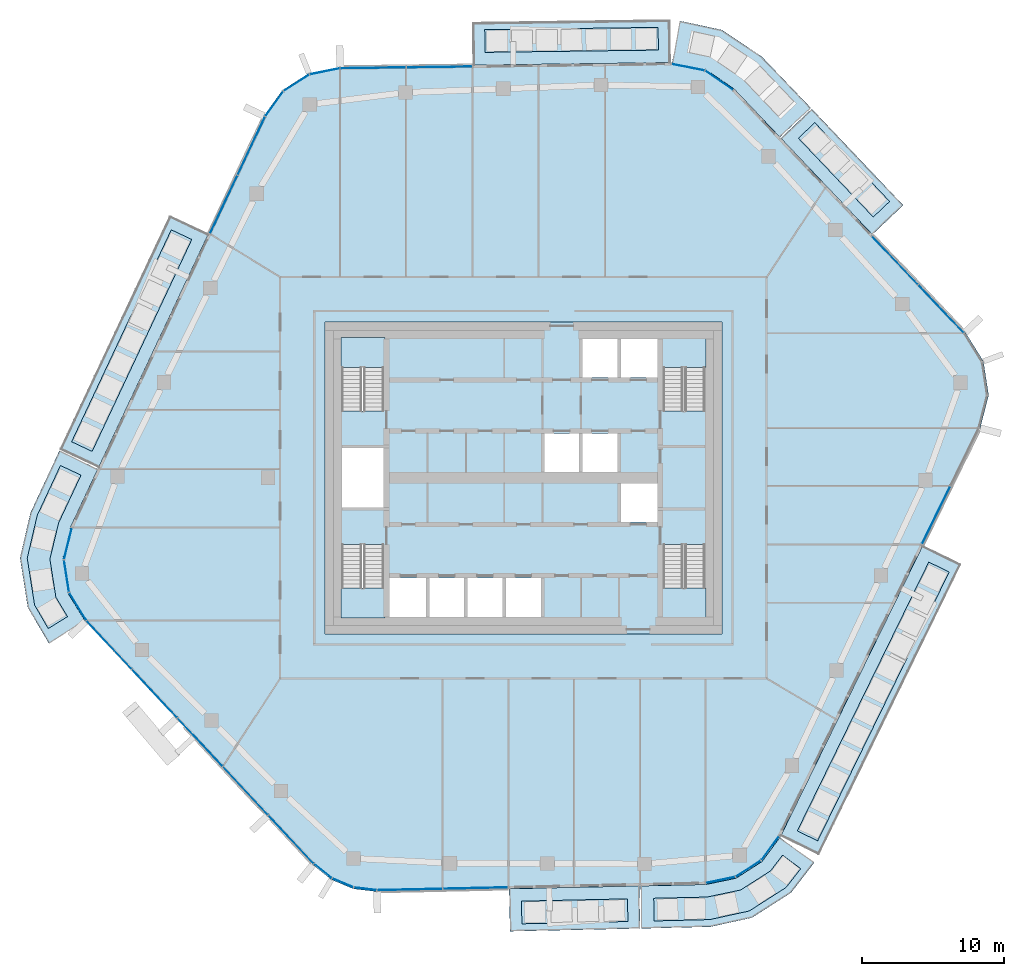
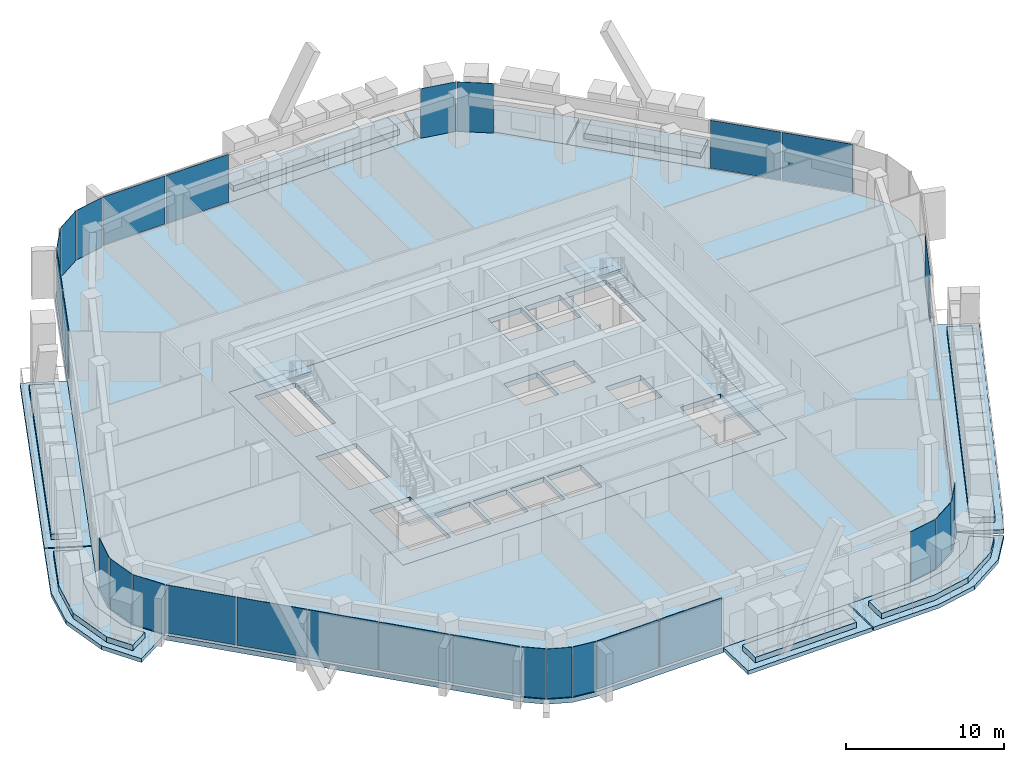
# One storey, part 11 of 23: 28 plates, 21 slabs, 15 elements without a shape of their own.
"""IFC4 building model written with IfcOpenShell, lengths in metres."""

from ifc_helpers import new_model, si_unit, direction, frame, origin, origin_2d, place, context, subcontext, project, spatial, polyline, rectangle, outline, extrude, material, layer, layer_set, type_object, element, aggregate, save


model = new_model("IFC4")

# Units and contexts
model_context = context("Model", 3, precision=1e-05, world=origin(), true_north=direction((0.0, 1.0)))
body_context = subcontext(model_context, "Body", "Model", "MODEL_VIEW")
ifc_project = project(units=[si_unit("LENGTHUNIT", "METRE"), si_unit("AREAUNIT", "SQUARE_METRE"), si_unit("VOLUMEUNIT", "CUBIC_METRE"), si_unit("PLANEANGLEUNIT", "RADIAN"), si_unit("MASSUNIT", "GRAM", prefix="KILO")], contexts=[model_context])

# Site, building, storey
site_placement = place(None, origin())
site = spatial("IfcSite", under=ifc_project, at=site_placement, CompositionType="ELEMENT")
building_placement = place(site_placement, origin())
building = spatial("IfcBuilding", under=site, at=building_placement, Name="Dongbaek Canopy Tower", CompositionType="ELEMENT")
storey_placement = place(building_placement, frame((0.0, 0.0, 340.39990234375)))
storey = spatial("IfcBuildingStorey", under=building, at=storey_placement, Name="L73", CompositionType="ELEMENT", Elevation=340.39990234375)

# Slabs
ifc_material_1 = material(Name="Concrete C40/50", Category="concrete")
ifc_layer_1 = layer(ifc_material_1, 0.300048828125)
ifc_layer_set_1 = layer_set([ifc_layer_1], Name="Balcony slab 300")
slab_type_1 = type_object("IfcSlabType", Name="Balcony slab 300", PredefinedType="FLOOR", material=ifc_layer_set_1)
slab_1_placement = place(storey_placement, frame((0.0, 0.0, -0.2998046875)))
element("IfcSlab", 1, at=slab_1_placement, inside=storey, type_object=slab_type_1, Name="Balcony L73 1", PredefinedType="FLOOR", context=body_context, shape_type="SweptSolid", body=[
    extrude(outline(polyline([(24.6015625, 17.15380859375), (18.15087890625, 23.94287109375), (20.32568359375, 26.00927734375), (26.7763671875, 19.22021484375), (24.6015625, 17.15380859375)])), origin(), (0.0, 0.0, 1.0), 0.2998046875),
])
slab_2_placement = place(storey_placement, frame((0.0, 0.0, -0.2998046875)))
element("IfcSlab", 2, at=slab_2_placement, inside=storey, type_object=slab_type_1, Name="Balcony L73 6", PredefinedType="FLOOR", context=body_context, shape_type="SweptSolid", body=[
    extrude(outline(polyline([(18.08203125, 24.015380859375), (14.8564453125, 27.409912109375), (12.837158203125, 28.80615234375), (10.47705078125, 29.26708984375), (11.052001953125, 32.21142578125), (14.00244140625, 31.570556640625), (16.807373046875, 29.689208984375), (20.2568359375, 26.081787109375), (18.08203125, 24.015380859375)])), origin(), (0.0, 0.0, 1.0), 0.2998046875),
])
slab_3_placement = place(storey_placement, frame((0.0, 0.0, -0.2998046875)))
element("IfcSlab", 3, at=slab_3_placement, inside=storey, type_object=slab_type_1, Name="Balcony L73 2", PredefinedType="FLOOR", context=body_context, shape_type="SweptSolid", body=[
    extrude(outline(polyline([(10.3779296875, 29.27587890625), (-3.544677734375, 29.092529296875), (-3.584228515625, 32.09228515625), (10.33837890625, 32.275634765625), (10.3779296875, 29.27587890625)])), origin(), (0.0, 0.0, 1.0), 0.2998046875),
])
slab_4_placement = place(storey_placement, frame((0.0, 0.0, -0.2998046875)))
element("IfcSlab", 4, at=slab_4_placement, inside=storey, type_object=slab_type_1, Name="Balcony L73 3", PredefinedType="FLOOR", context=body_context, shape_type="SweptSolid", body=[
    extrude(outline(polyline([(-22.21044921875, 17.1923828125), (-29.958740234375, 0.713623046875), (-32.673583984375, 1.990234375), (-24.92529296875, 18.468994140625), (-22.21044921875, 17.1923828125)])), origin(), (0.0, 0.0, 1.0), 0.2998046875),
])
slab_5_placement = place(storey_placement, frame((0.0, 0.0, -0.2998046875)))
element("IfcSlab", 5, at=slab_5_placement, inside=storey, type_object=slab_type_1, Name="Balcony L73 7", PredefinedType="FLOOR", context=body_context, shape_type="SweptSolid", body=[
    extrude(outline(polyline([(-30.001220703125, 0.623046875), (-31.927734375, -3.473876953125), (-32.492431640625, -5.772705078125), (-32.124267578125, -8.11083984375), (-30.90673828125, -10.082275390625), (-33.459228515625, -11.65869140625), (-34.9375, -9.15283203125), (-35.48974609375, -5.6455078125), (-34.755615234375, -2.472900390625), (-32.716064453125, 1.899658203125), (-30.001220703125, 0.623046875)])), origin(), (0.0, 0.0, 1.0), 0.2998046875),
])
slab_6_placement = place(storey_placement, frame((0.0, 0.0, -0.2998046875)))
element("IfcSlab", 6, at=slab_6_placement, inside=storey, type_object=slab_type_1, Name="Balcony L73 4", PredefinedType="FLOOR", context=body_context, shape_type="SweptSolid", body=[
    extrude(outline(polyline([(-1.009033203125, -28.9716796875), (8.166015625, -28.772705078125), (8.23095703125, -31.77197265625), (-0.94384765625, -31.970947265625), (-1.009033203125, -28.9716796875)])), origin(), (0.0, 0.0, 1.0), 0.2998046875),
])
slab_7_placement = place(storey_placement, frame((0.0, 0.0, -0.2998046875)))
element("IfcSlab", 7, at=slab_7_placement, inside=storey, type_object=slab_type_1, Name="Balcony L73 8", PredefinedType="FLOOR", context=body_context, shape_type="SweptSolid", body=[
    extrude(outline(polyline([(8.265869140625, -28.7705078125), (12.853271484375, -28.671142578125), (14.984619140625, -28.22998046875), (16.818359375, -27.057861328125), (18.08349609375, -25.3486328125), (20.49462890625, -27.133544921875), (18.865966796875, -29.25048828125), (16.115234375, -31.0087890625), (13.191162109375, -31.65185546875), (8.3310546875, -31.769775390625), (8.265869140625, -28.7705078125)])), origin(), (0.0, 0.0, 1.0), 0.2998046875),
])
slab_8_placement = place(storey_placement, frame((0.0, 0.0, -0.2998046875)))
element("IfcSlab", 8, at=slab_8_placement, inside=storey, type_object=slab_type_1, Name="Balcony L73 5", PredefinedType="FLOOR", context=body_context, shape_type="SweptSolid", body=[
    extrude(outline(polyline([(18.13525390625, -25.263671875), (28.150390625, -4.78515625), (30.845458984375, -6.103271484375), (20.830078125, -26.58154296875), (18.13525390625, -25.263671875)])), origin(), (0.0, 0.0, 1.0), 0.2998046875),
])

# Curtain wall, plates
ifc_material_2 = material(Name="Aluminium 6063-T6 pale anodised", Category="aluminium")
ifc_layer_2 = layer(ifc_material_2, 0.199951171875)
ifc_layer_set_2 = layer_set([ifc_layer_2], Name="CW-1 unitised tower curtain wall")
curtain_wall_type = type_object("IfcCurtainWallType", Name="CW-1 unitised tower curtain wall", PredefinedType="NOTDEFINED", material=ifc_layer_set_2)
curtain_wall_1_placement = place(storey_placement, origin())
curtain_wall_1 = element("IfcCurtainWall", 9, at=curtain_wall_1_placement, inside=storey, type_object=curtain_wall_type, Name="CW-1 curtain wall F0.1", PredefinedType="NOTDEFINED")
ifc_material_3 = material(Name="Clear laminated glass", Category="glass")
ifc_layer_3 = layer(ifc_material_3, 0.028076171875)
ifc_layer_set_3 = layer_set([ifc_layer_3], Name="CW-1 glazed panel 28")
plate_type = type_object("IfcPlateType", Name="CW-1 glazed panel 28", PredefinedType="CURTAIN_PANEL", material=ifc_layer_set_3)
plate_1_placement = place(storey_placement, frame((29.449951171875, 11.906005859375, 0.1201171875), z_axis=(0.0, 0.0, 1.0), x_axis=(-0.688812382486, 0.724939653857, 0.0)))
plate_1 = element("IfcPlate", 10, at=plate_1_placement, type_object=plate_type, Name="CW-1 panel F0.1.1.1", PredefinedType="CURTAIN_PANEL", context=body_context, shape_type="SweptSolid", body=[
    extrude(rectangle(XDim=4.638427734375, YDim=0.028076171875, at=origin_2d()), origin(), (0.0, 0.0, 1.0), 3.699951171875),
])
plate_2_placement = place(storey_placement, frame((26.193603515625, 15.333251953125, 0.1201171875), z_axis=(0.0, 0.0, 1.0), x_axis=(-0.688812382486, 0.724939653857, 0.0)))
plate_2 = element("IfcPlate", 11, at=plate_2_placement, type_object=plate_type, Name="CW-1 panel F0.1.2.1", PredefinedType="CURTAIN_PANEL", context=body_context, shape_type="SweptSolid", body=[
    extrude(rectangle(XDim=4.648681640625, YDim=0.028076171875, at=origin_2d()), origin(), (0.0, 0.0, 1.0), 3.699951171875),
])
aggregate(curtain_wall_1, [plate_1, plate_2])

curtain_wall_2_placement = place(storey_placement, origin())
curtain_wall_2 = element("IfcCurtainWall", 12, at=curtain_wall_2_placement, inside=storey, type_object=curtain_wall_type, Name="CW-1 curtain wall K1.1", PredefinedType="NOTDEFINED")
plate_3_placement = place(storey_placement, frame((13.79443359375, 28.022705078125, 0.0), z_axis=(0.0, 0.0, 1.0), x_axis=(-0.822548356904, 0.568695173669, 0.0)))
plate_3 = element("IfcPlate", 13, at=plate_3_placement, type_object=plate_type, Name="CW-1 panel K1.1.1.1", PredefinedType="CURTAIN_PANEL", context=body_context, shape_type="SweptSolid", body=[
    extrude(rectangle(XDim=2.339599609375, YDim=0.028076171875, at=origin_2d()), origin(), (0.0, 0.0, 1.0), 3.820068359375),
])
plate_4_placement = place(storey_placement, frame((11.608154296875, 28.944091796875, 0.0), z_axis=(0.0, 0.0, 1.0), x_axis=(-0.981459618743, 0.191669029259, 0.0)))
plate_4 = element("IfcPlate", 14, at=plate_4_placement, type_object=plate_type, Name="CW-1 panel K1.1.2.1", PredefinedType="CURTAIN_PANEL", context=body_context, shape_type="SweptSolid", body=[
    extrude(rectangle(XDim=2.339599609375, YDim=0.028076171875, at=origin_2d()), origin(), (0.0, 0.0, 1.0), 3.820068359375),
])
aggregate(curtain_wall_2, [plate_3, plate_4])

curtain_wall_3_placement = place(storey_placement, origin())
curtain_wall_3 = element("IfcCurtainWall", 15, at=curtain_wall_3_placement, inside=storey, type_object=curtain_wall_type, Name="CW-1 curtain wall F1.1", PredefinedType="NOTDEFINED")
plate_5_placement = place(storey_placement, frame((-5.930419921875, 28.961181640625, 0.1201171875), z_axis=(0.0, 0.0, 1.0), x_axis=(-0.999913333476, -0.013165315653, 0.0)))
plate_5 = element("IfcPlate", 16, at=plate_5_placement, type_object=plate_type, Name="CW-1 panel F1.1.1.1", PredefinedType="CURTAIN_PANEL", context=body_context, shape_type="SweptSolid", body=[
    extrude(rectangle(XDim=4.590576171875, YDim=0.028076171875, at=origin_2d()), origin(), (0.0, 0.0, 1.0), 3.699951171875),
])
plate_6_placement = place(storey_placement, frame((-10.60009765625, 28.899658203125, 0.1201171875), z_axis=(0.0, 0.0, 1.0), x_axis=(-0.999913333476, -0.013165315653, 0.0)))
plate_6 = element("IfcPlate", 17, at=plate_6_placement, type_object=plate_type, Name="CW-1 panel F1.1.2.1", PredefinedType="CURTAIN_PANEL", context=body_context, shape_type="SweptSolid", body=[
    extrude(rectangle(XDim=4.581298828125, YDim=0.028076171875, at=origin_2d()), origin(), (0.0, 0.0, 1.0), 3.699951171875),
])
aggregate(curtain_wall_3, [plate_5, plate_6])

curtain_wall_4_placement = place(storey_placement, origin())
curtain_wall_4 = element("IfcCurtainWall", 18, at=curtain_wall_4_placement, inside=storey, type_object=curtain_wall_type, Name="CW-1 curtain wall K2.1", PredefinedType="NOTDEFINED")
plate_7_placement = place(storey_placement, frame((-14.00830078125, 28.6513671875, 0.0), z_axis=(0.0, 0.0, 1.0), x_axis=(-0.980162153839, -0.198197255735, 0.0)))
plate_7 = element("IfcPlate", 19, at=plate_7_placement, type_object=plate_type, Name="CW-1 panel K2.1.1.1", PredefinedType="CURTAIN_PANEL", context=body_context, shape_type="SweptSolid", body=[
    extrude(rectangle(XDim=2.111083984375, YDim=0.028076171875, at=origin_2d()), origin(), (0.0, 0.0, 1.0), 3.820068359375),
])
plate_8_placement = place(storey_placement, frame((-16.002685546875, 27.84228515625, 0.0), z_axis=(0.0, 0.0, 1.0), x_axis=(-0.840698942489, -0.541502805254, 0.0)))
plate_8 = element("IfcPlate", 20, at=plate_8_placement, type_object=plate_type, Name="CW-1 panel K2.1.2.1", PredefinedType="CURTAIN_PANEL", context=body_context, shape_type="SweptSolid", body=[
    extrude(rectangle(XDim=2.1015625, YDim=0.028076171875, at=origin_2d()), origin(), (0.0, 0.0, 1.0), 3.820068359375),
])
plate_9_placement = place(storey_placement, frame((-17.564453125, 26.36083984375, 0.0), z_axis=(0.0, 0.0, 1.0), x_axis=(-0.585800462636, -0.810455315225, 0.0)))
plate_9 = element("IfcPlate", 21, at=plate_9_placement, type_object=plate_type, Name="CW-1 panel K2.1.3.1", PredefinedType="CURTAIN_PANEL", context=body_context, shape_type="SweptSolid", body=[
    extrude(rectangle(XDim=2.111083984375, YDim=0.028076171875, at=origin_2d()), origin(), (0.0, 0.0, 1.0), 3.820068359375),
])
aggregate(curtain_wall_4, [plate_7, plate_8, plate_9])

curtain_wall_5_placement = place(storey_placement, origin())
curtain_wall_5 = element("IfcCurtainWall", 22, at=curtain_wall_5_placement, inside=storey, type_object=curtain_wall_type, Name="CW-1 curtain wall F2.1", PredefinedType="NOTDEFINED")
plate_10_placement = place(storey_placement, frame((-19.17919921875, 23.404541015625, 0.1201171875), z_axis=(0.0, 0.0, 1.0), x_axis=(-0.425500361514, -0.90495825448, 0.0)))
plate_10 = element("IfcPlate", 23, at=plate_10_placement, type_object=plate_type, Name="CW-1 panel F2.1.1.1", PredefinedType="CURTAIN_PANEL", context=body_context, shape_type="SweptSolid", body=[
    extrude(rectangle(XDim=4.484130859375, YDim=0.028076171875, at=origin_2d()), origin(), (0.0, 0.0, 1.0), 3.699951171875),
])
plate_11_placement = place(storey_placement, frame((-21.125, 19.266357421875, 0.1201171875), z_axis=(0.0, 0.0, 1.0), x_axis=(-0.425500361514, -0.90495825448, 0.0)))
plate_11 = element("IfcPlate", 24, at=plate_11_placement, type_object=plate_type, Name="CW-1 panel F2.1.2.1", PredefinedType="CURTAIN_PANEL", context=body_context, shape_type="SweptSolid", body=[
    extrude(rectangle(XDim=4.493408203125, YDim=0.028076171875, at=origin_2d()), origin(), (0.0, 0.0, 1.0), 3.699951171875),
])
aggregate(curtain_wall_5, [plate_10, plate_11])

curtain_wall_6_placement = place(storey_placement, origin())
curtain_wall_6 = element("IfcCurtainWall", 25, at=curtain_wall_6_placement, inside=storey, type_object=curtain_wall_type, Name="CW-1 curtain wall K3.1", PredefinedType="NOTDEFINED")
plate_12_placement = place(storey_placement, frame((-32.11181640625, -4.64208984375, 0.0), z_axis=(0.0, 0.0, 1.0), x_axis=(-0.238631910198, -0.971110092335, 0.0)))
plate_12 = element("IfcPlate", 26, at=plate_12_placement, type_object=plate_type, Name="CW-1 panel K3.1.1.1", PredefinedType="CURTAIN_PANEL", context=body_context, shape_type="SweptSolid", body=[
    extrude(rectangle(XDim=2.2529296875, YDim=0.028076171875, at=origin_2d()), origin(), (0.0, 0.0, 1.0), 3.820068359375),
])
plate_13_placement = place(storey_placement, frame((-32.209716796875, -6.92626953125, 0.0), z_axis=(0.0, 0.0, 1.0), x_axis=(0.155525099522, -0.987831940878, 0.0)))
plate_13 = element("IfcPlate", 27, at=plate_13_placement, type_object=plate_type, Name="CW-1 panel K3.1.2.1", PredefinedType="CURTAIN_PANEL", context=body_context, shape_type="SweptSolid", body=[
    extrude(rectangle(XDim=2.242919921875, YDim=0.028076171875, at=origin_2d()), origin(), (0.0, 0.0, 1.0), 3.820068359375),
])
plate_14_placement = place(storey_placement, frame((-31.41455078125, -9.069580078125, 0.0), z_axis=(0.0, 0.0, 1.0), x_axis=(0.525476280961, -0.850808249929, 0.0)))
plate_14 = element("IfcPlate", 28, at=plate_14_placement, type_object=plate_type, Name="CW-1 panel K3.1.3.1", PredefinedType="CURTAIN_PANEL", context=body_context, shape_type="SweptSolid", body=[
    extrude(rectangle(XDim=2.2529296875, YDim=0.028076171875, at=origin_2d()), origin(), (0.0, 0.0, 1.0), 3.820068359375),
])
aggregate(curtain_wall_6, [plate_12, plate_13, plate_14])

curtain_wall_7_placement = place(storey_placement, origin())
curtain_wall_7 = element("IfcCurtainWall", 29, at=curtain_wall_7_placement, inside=storey, type_object=curtain_wall_type, Name="CW-1 curtain wall F3.1", PredefinedType="NOTDEFINED")
plate_15_placement = place(storey_placement, frame((-29.20068359375, -11.77490234375, 0.1201171875), z_axis=(0.0, 0.0, 1.0), x_axis=(0.682978597195, -0.730438386022, 0.0)))
plate_15 = element("IfcPlate", 30, at=plate_15_placement, type_object=plate_type, Name="CW-1 panel F3.1.1.1", PredefinedType="CURTAIN_PANEL", context=body_context, shape_type="SweptSolid", body=[
    extrude(rectangle(XDim=4.601318359375, YDim=0.028076171875, at=origin_2d()), origin(), (0.0, 0.0, 1.0), 3.699951171875),
])
plate_16_placement = place(storey_placement, frame((-25.997314453125, -15.200927734375, 0.1201171875), z_axis=(0.0, 0.0, 1.0), x_axis=(0.682978597195, -0.730438386022, 0.0)))
plate_16 = element("IfcPlate", 31, at=plate_16_placement, type_object=plate_type, Name="CW-1 panel F3.1.2.1", PredefinedType="CURTAIN_PANEL", context=body_context, shape_type="SweptSolid", body=[
    extrude(rectangle(XDim=4.611328125, YDim=0.028076171875, at=origin_2d()), origin(), (0.0, 0.0, 1.0), 3.699951171875),
])
plate_17_placement = place(storey_placement, frame((-22.79052734375, -18.630615234375, 0.1201171875), z_axis=(0.0, 0.0, 1.0), x_axis=(0.682978597195, -0.730438386022, 0.0)))
plate_17 = element("IfcPlate", 32, at=plate_17_placement, type_object=plate_type, Name="CW-1 panel F3.1.3.1", PredefinedType="CURTAIN_PANEL", context=body_context, shape_type="SweptSolid", body=[
    extrude(rectangle(XDim=4.611328125, YDim=0.028076171875, at=origin_2d()), origin(), (0.0, 0.0, 1.0), 3.699951171875),
])
plate_18_placement = place(storey_placement, frame((-19.583740234375, -22.060302734375, 0.1201171875), z_axis=(0.0, 0.0, 1.0), x_axis=(0.682978597195, -0.730438386022, 0.0)))
plate_18 = element("IfcPlate", 33, at=plate_18_placement, type_object=plate_type, Name="CW-1 panel F3.1.4.1", PredefinedType="CURTAIN_PANEL", context=body_context, shape_type="SweptSolid", body=[
    extrude(rectangle(XDim=4.611328125, YDim=0.028076171875, at=origin_2d()), origin(), (0.0, 0.0, 1.0), 3.699951171875),
])
plate_19_placement = place(storey_placement, frame((-16.379150390625, -25.4873046875, 0.1201171875), z_axis=(0.0, 0.0, 1.0), x_axis=(0.682978597195, -0.730438386022, 0.0)))
plate_19 = element("IfcPlate", 34, at=plate_19_placement, type_object=plate_type, Name="CW-1 panel F3.1.5.1", PredefinedType="CURTAIN_PANEL", context=body_context, shape_type="SweptSolid", body=[
    extrude(rectangle(XDim=4.604248046875, YDim=0.028076171875, at=origin_2d()), origin(), (0.0, 0.0, 1.0), 3.699951171875),
])
aggregate(curtain_wall_7, [plate_15, plate_16, plate_17, plate_18, plate_19])

curtain_wall_8_placement = place(storey_placement, origin())
curtain_wall_8 = element("IfcCurtainWall", 35, at=curtain_wall_8_placement, inside=storey, type_object=curtain_wall_type, Name="CW-1 curtain wall K4.1", PredefinedType="NOTDEFINED")
plate_20_placement = place(storey_placement, frame((-14.13427734375, -27.71923828125, 0.0), z_axis=(0.0, 0.0, 1.0), x_axis=(0.778291080204, -0.62790365063, 0.0)))
plate_20 = element("IfcPlate", 36, at=plate_20_placement, type_object=plate_type, Name="CW-1 panel K4.1.1.1", PredefinedType="CURTAIN_PANEL", context=body_context, shape_type="SweptSolid", body=[
    extrude(rectangle(XDim=1.570556640625, YDim=0.028076171875, at=origin_2d()), origin(), (0.0, 0.0, 1.0), 3.820068359375),
])
plate_21_placement = place(storey_placement, frame((-12.731201171875, -28.558349609375, 0.0), z_axis=(0.0, 0.0, 1.0), x_axis=(0.92158857435, -0.388168133193, 0.0)))
plate_21 = element("IfcPlate", 37, at=plate_21_placement, type_object=plate_type, Name="CW-1 panel K4.1.2.1", PredefinedType="CURTAIN_PANEL", context=body_context, shape_type="SweptSolid", body=[
    extrude(rectangle(XDim=1.5634765625, YDim=0.028076171875, at=origin_2d()), origin(), (0.0, 0.0, 1.0), 3.820068359375),
])
plate_22_placement = place(storey_placement, frame((-11.150390625, -28.975830078125, 0.0), z_axis=(0.0, 0.0, 1.0), x_axis=(0.992995441177, -0.118152671581, 0.0)))
plate_22 = element("IfcPlate", 38, at=plate_22_placement, type_object=plate_type, Name="CW-1 panel K4.1.3.1", PredefinedType="CURTAIN_PANEL", context=body_context, shape_type="SweptSolid", body=[
    extrude(rectangle(XDim=1.570556640625, YDim=0.028076171875, at=origin_2d()), origin(), (0.0, 0.0, 1.0), 3.820068359375),
])
aggregate(curtain_wall_8, [plate_20, plate_21, plate_22])

curtain_wall_9_placement = place(storey_placement, origin())
curtain_wall_9 = element("IfcCurtainWall", 39, at=curtain_wall_9_placement, inside=storey, type_object=curtain_wall_type, Name="CW-1 curtain wall F4.1", PredefinedType="NOTDEFINED")
plate_23_placement = place(storey_placement, frame((-8.013671875, -29.0234375, 0.1201171875), z_axis=(0.0, 0.0, 1.0), x_axis=(0.999765051294, 0.021675843976, 0.0)))
plate_23 = element("IfcPlate", 40, at=plate_23_placement, type_object=plate_type, Name="CW-1 panel F4.1.1.1", PredefinedType="CURTAIN_PANEL", context=body_context, shape_type="SweptSolid", body=[
    extrude(rectangle(XDim=4.547607421875, YDim=0.028076171875, at=origin_2d()), origin(), (0.0, 0.0, 1.0), 3.699951171875),
])
plate_24_placement = place(storey_placement, frame((-3.3798828125, -28.923095703125, 0.1201171875), z_axis=(0.0, 0.0, 1.0), x_axis=(0.999765051294, 0.021675843976, 0.0)))
plate_24 = element("IfcPlate", 41, at=plate_24_placement, type_object=plate_type, Name="CW-1 panel F4.1.2.1", PredefinedType="CURTAIN_PANEL", context=body_context, shape_type="SweptSolid", body=[
    extrude(rectangle(XDim=4.554443359375, YDim=0.028076171875, at=origin_2d()), origin(), (0.0, 0.0, 1.0), 3.699951171875),
])
aggregate(curtain_wall_9, [plate_23, plate_24])

curtain_wall_10_placement = place(storey_placement, origin())
curtain_wall_10 = element("IfcCurtainWall", 42, at=curtain_wall_10_placement, inside=storey, type_object=curtain_wall_type, Name="CW-1 curtain wall K5.1", PredefinedType="NOTDEFINED")
plate_25_placement = place(storey_placement, frame((13.894287109375, -28.353515625, 0.0), z_axis=(0.0, 0.0, 1.0), x_axis=(0.979253147382, 0.20264074946, 0.0)))
plate_25 = element("IfcPlate", 43, at=plate_25_placement, type_object=plate_type, Name="CW-1 panel K5.1.1.1", PredefinedType="CURTAIN_PANEL", context=body_context, shape_type="SweptSolid", body=[
    extrude(rectangle(XDim=2.064697265625, YDim=0.028076171875, at=origin_2d()), origin(), (0.0, 0.0, 1.0), 3.820068359375),
])
plate_26_placement = place(storey_placement, frame((15.84765625, -27.5595703125, 0.0), z_axis=(0.0, 0.0, 1.0), x_axis=(0.842544412737, 0.538626876944, 0.0)))
plate_26 = element("IfcPlate", 44, at=plate_26_placement, type_object=plate_type, Name="CW-1 panel K5.1.2.1", PredefinedType="CURTAIN_PANEL", context=body_context, shape_type="SweptSolid", body=[
    extrude(rectangle(XDim=2.055419921875, YDim=0.028076171875, at=origin_2d()), origin(), (0.0, 0.0, 1.0), 3.820068359375),
])
plate_27_placement = place(storey_placement, frame((17.38818359375, -26.119873046875, 0.0), z_axis=(0.0, 0.0, 1.0), x_axis=(0.594977091521, 0.803742658172, 0.0)))
plate_27 = element("IfcPlate", 45, at=plate_27_placement, type_object=plate_type, Name="CW-1 panel K5.1.3.1", PredefinedType="CURTAIN_PANEL", context=body_context, shape_type="SweptSolid", body=[
    extrude(rectangle(XDim=2.064697265625, YDim=0.028076171875, at=origin_2d()), origin(), (0.0, 0.0, 1.0), 3.820068359375),
])
aggregate(curtain_wall_10, [plate_25, plate_26, plate_27])

# Curtain wall, plate
curtain_wall_11_placement = place(storey_placement, origin())
curtain_wall_11 = element("IfcCurtainWall", 46, at=curtain_wall_11_placement, inside=storey, type_object=curtain_wall_type, Name="CW-1 curtain wall F5.1", PredefinedType="NOTDEFINED")
plate_28_placement = place(storey_placement, frame((29.088623046875, -2.6396484375, 0.1201171875), z_axis=(0.0, 0.0, 1.0), x_axis=(0.439337288093, 0.89832218457, 0.0)))
plate_28 = element("IfcPlate", 47, at=plate_28_placement, type_object=plate_type, Name="CW-1 panel F5.1.1.1", PredefinedType="CURTAIN_PANEL", context=body_context, shape_type="SweptSolid", body=[
    extrude(rectangle(XDim=4.495361328125, YDim=0.028076171875, at=origin_2d()), origin(), (0.0, 0.0, 1.0), 3.699951171875),
])
aggregate(curtain_wall_11, [plate_28])

# Slab
ifc_material_4 = material(Name="Concrete C40/50", Category="concrete")
ifc_layer_4 = layer(ifc_material_4, 0.3798828125)
ifc_layer_set_4 = layer_set([ifc_layer_4], Name="Core floor slab 380 Concrete C40/50")
slab_type_2 = type_object("IfcSlabType", Name="Core floor slab 380 Concrete C40/50", PredefinedType="FLOOR", material=ifc_layer_set_4)
slab_9_placement = place(storey_placement, frame((0.0, 0.0, -0.3798828125)))
element("IfcSlab", 48, at=slab_9_placement, inside=storey, type_object=slab_type_2, Name="Core floor slab L73", PredefinedType="FLOOR", context=body_context, shape_type="SweptSolid", body=[
    extrude(outline(polyline([(14.0, -11.0), (14.0, 11.0), (-14.0, 11.0), (-14.0, -11.0), (14.0, -11.0)]), holes=[polyline([(-12.800048828125, 2.10009765625), (-9.85009765625, 2.10009765625), (-9.85009765625, -2.10009765625), (-12.800048828125, -2.10009765625), (-12.800048828125, 2.10009765625)]), polyline([(6.625, 9.800048828125), (6.625, 7.074951171875), (4.175048828125, 7.074951171875), (4.175048828125, 9.800048828125), (6.625, 9.800048828125)]), polyline([(9.449951171875, 7.074951171875), (6.875, 7.074951171875), (6.875, 9.800048828125), (9.449951171875, 9.800048828125), (9.449951171875, 7.074951171875)]), polyline([(1.47509765625, 0.39990234375), (1.47509765625, 3.125), (3.925048828125, 3.125), (3.925048828125, 0.39990234375), (1.47509765625, 0.39990234375)]), polyline([(4.175048828125, 0.39990234375), (4.175048828125, 3.125), (6.625, 3.125), (6.625, 0.39990234375), (4.175048828125, 0.39990234375)]), polyline([(9.449951171875, -3.125), (6.875, -3.125), (6.875, -0.39990234375), (9.449951171875, -0.39990234375), (9.449951171875, -3.125)]), polyline([(-9.449951171875, -7.074951171875), (-6.875, -7.074951171875), (-6.875, -9.800048828125), (-9.449951171875, -9.800048828125), (-9.449951171875, -7.074951171875)]), polyline([(-6.625, -9.800048828125), (-6.625, -7.074951171875), (-4.175048828125, -7.074951171875), (-4.175048828125, -9.800048828125), (-6.625, -9.800048828125)]), polyline([(-3.925048828125, -9.800048828125), (-3.925048828125, -7.074951171875), (-1.47509765625, -7.074951171875), (-1.47509765625, -9.800048828125), (-3.925048828125, -9.800048828125)]), polyline([(-1.22509765625, -9.800048828125), (-1.22509765625, -7.074951171875), (1.22509765625, -7.074951171875), (1.22509765625, -9.800048828125), (-1.22509765625, -9.800048828125)]), polyline([(12.800048828125, 4.70068359375), (12.800048828125, 9.800048828125), (9.85009765625, 9.800048828125), (9.85009765625, 4.70068359375), (12.800048828125, 4.70068359375)]), polyline([(-9.85009765625, 4.70068359375), (-9.85009765625, 9.800048828125), (-12.800048828125, 9.800048828125), (-12.800048828125, 4.70068359375), (-9.85009765625, 4.70068359375)]), polyline([(9.85009765625, -4.70068359375), (9.85009765625, -9.800048828125), (12.800048828125, -9.800048828125), (12.800048828125, -4.70068359375), (9.85009765625, -4.70068359375)]), polyline([(-12.800048828125, -4.70068359375), (-12.800048828125, -9.800048828125), (-9.85009765625, -9.800048828125), (-9.85009765625, -4.70068359375), (-12.800048828125, -4.70068359375)])]), origin(), (0.0, 0.0, 1.0), 0.3798828125),
])

# Stair, slab
ifc_material_5 = material(Name="Concrete C40/50", Category="concrete")
stair_type = type_object("IfcStairType", Name="Core exit stair", PredefinedType="HALF_TURN_STAIR", material=ifc_material_5)
stair_1_placement = place(storey_placement, origin())
stair_1 = element("IfcStair", 49, at=stair_1_placement, inside=storey, type_object=stair_type, Name="L73 exit stair A", PredefinedType="HALF_TURN_STAIR")
ifc_material_6 = material(Name="Concrete C40/50", Category="concrete")
ifc_layer_5 = layer(ifc_material_6, 0.199951171875)
ifc_layer_set_5 = layer_set([ifc_layer_5], Name="Core stair landing 200")
slab_type_3 = type_object("IfcSlabType", Name="Core stair landing 200", PredefinedType="LANDING", material=ifc_layer_set_5)
slab_10_placement = place(storey_placement, frame((0.0, 0.0, 1.900146484375)))
slab_10 = element("IfcSlab", 50, at=slab_10_placement, type_object=slab_type_3, Name="ST-A landing 1", PredefinedType="LANDING", context=body_context, shape_type="SweptSolid", body=[
    extrude(outline(polyline([(12.875, 7.780029296875), (12.875, 9.875), (9.77490234375, 9.875), (9.77490234375, 7.780029296875), (12.875, 7.780029296875)])), origin(), (0.0, 0.0, 1.0), 0.199951171875),
])
aggregate(stair_1, [slab_10])

stair_2_placement = place(storey_placement, origin())
stair_2 = element("IfcStair", 51, at=stair_2_placement, inside=storey, type_object=stair_type, Name="L73 exit stair C", PredefinedType="HALF_TURN_STAIR")
slab_11_placement = place(storey_placement, frame((0.0, 0.0, 1.900146484375)))
slab_11 = element("IfcSlab", 52, at=slab_11_placement, type_object=slab_type_3, Name="ST-C landing 1", PredefinedType="LANDING", context=body_context, shape_type="SweptSolid", body=[
    extrude(outline(polyline([(-9.77490234375, 7.780029296875), (-9.77490234375, 9.875), (-12.875, 9.875), (-12.875, 7.780029296875), (-9.77490234375, 7.780029296875)])), origin(), (0.0, 0.0, 1.0), 0.199951171875),
])
aggregate(stair_2, [slab_11])

stair_3_placement = place(storey_placement, origin())
stair_3 = element("IfcStair", 53, at=stair_3_placement, inside=storey, type_object=stair_type, Name="L73 exit stair B", PredefinedType="HALF_TURN_STAIR")
slab_12_placement = place(storey_placement, frame((0.0, 0.0, 1.900146484375)))
slab_12 = element("IfcSlab", 54, at=slab_12_placement, type_object=slab_type_3, Name="ST-B landing 1", PredefinedType="LANDING", context=body_context, shape_type="SweptSolid", body=[
    extrude(outline(polyline([(9.77490234375, -7.780029296875), (9.77490234375, -9.875), (12.875, -9.875), (12.875, -7.780029296875), (9.77490234375, -7.780029296875)])), origin(), (0.0, 0.0, 1.0), 0.199951171875),
])
aggregate(stair_3, [slab_12])

stair_4_placement = place(storey_placement, origin())
stair_4 = element("IfcStair", 55, at=stair_4_placement, inside=storey, type_object=stair_type, Name="L73 exit stair D", PredefinedType="HALF_TURN_STAIR")
slab_13_placement = place(storey_placement, frame((0.0, 0.0, 1.900146484375)))
slab_13 = element("IfcSlab", 56, at=slab_13_placement, type_object=slab_type_3, Name="ST-D landing 1", PredefinedType="LANDING", context=body_context, shape_type="SweptSolid", body=[
    extrude(outline(polyline([(-12.875, -7.780029296875), (-12.875, -9.875), (-9.77490234375, -9.875), (-9.77490234375, -7.780029296875), (-12.875, -7.780029296875)])), origin(), (0.0, 0.0, 1.0), 0.199951171875),
])
aggregate(stair_4, [slab_13])

# Slabs
ifc_material_7 = material(Name="Concrete C40", Category="concrete")
ifc_layer_6 = layer(ifc_material_7, 0.3798828125)
ifc_layer_set_6 = layer_set([ifc_layer_6], Name="RC FLAT PLATE 380 Concrete C40")
slab_type_4 = type_object("IfcSlabType", Name="RC FLAT PLATE 380 Concrete C40", PredefinedType="FLOOR", material=ifc_layer_set_6)
slab_14_placement = place(storey_placement, frame((0.0, 0.0, -0.3798828125)))
element("IfcSlab", 57, at=slab_14_placement, inside=storey, type_object=slab_type_4, Name="SLAB:L73", PredefinedType="FLOOR", context=body_context, shape_type="SweptSolid", body=[
    extrude(outline(polyline([(18.11328125, -25.30859375), (16.818359375, -27.057861328125), (14.984619140625, -28.22998046875), (12.853515625, -28.671142578125), (-10.333740234375, -29.173828125), (-11.997802734375, -28.975830078125), (-13.542236328125, -28.3251953125), (-14.846435546875, -27.273193359375), (-30.880615234375, -10.124755859375), (-32.124267578125, -8.11083984375), (-32.492431640625, -5.772705078125), (-31.927490234375, -3.473876953125), (-18.2939453125, 25.5224609375), (-16.991455078125, 27.32421875), (-15.122314453125, 28.5283203125), (-12.943115234375, 28.968994140625), (10.427978515625, 29.276611328125), (12.83740234375, 28.80615234375), (14.8564453125, 27.409912109375), (31.15576171875, 10.255859375), (32.43212890625, 8.208251953125), (32.798583984375, 5.823486328125), (32.196044921875, 3.48681640625), (18.11328125, -25.30859375)]), holes=[polyline([(14.0, 11.0), (-14.0, 11.0), (-14.0, -11.0), (14.0, -11.0), (14.0, 11.0)])]), origin(), (0.0, 0.0, 1.0), 0.3798828125),
])
ifc_material_8 = material(Name="Reinforced concrete C40/50 planter box with soil", Category="concrete")
ifc_layer_7 = layer(ifc_material_8, 0.419921875)
ifc_layer_set_7 = layer_set([ifc_layer_7], Name="Terrace planter box 1600 x 420")
slab_type_5 = type_object("IfcSlabType", Name="Terrace planter box 1600 x 420", PredefinedType="USERDEFINED", material=ifc_layer_set_7)
slab_15_placement = place(storey_placement, origin())
element("IfcSlab", 58, at=slab_15_placement, inside=storey, type_object=slab_type_5, Name="Balcony planter L73 1", ObjectType="PLANTER", PredefinedType="USERDEFINED", context=body_context, shape_type="SweptSolid", body=[
    extrude(outline(polyline([(24.661376953125, 18.383056640625), (19.381591796875, 23.939697265625), (20.54150390625, 25.041748046875), (25.8212890625, 19.485107421875), (24.661376953125, 18.383056640625)])), origin(), (0.0, 0.0, 1.0), 0.420166015625),
])
slab_16_placement = place(storey_placement, origin())
element("IfcSlab", 59, at=slab_16_placement, inside=storey, type_object=slab_type_5, Name="Balcony planter L73 2", ObjectType="PLANTER", PredefinedType="USERDEFINED", context=body_context, shape_type="SweptSolid", body=[
    extrude(outline(polyline([(9.516357421875, 30.154541015625), (-2.70654296875, 29.99365234375), (-2.7275390625, 31.593505859375), (9.4951171875, 31.75439453125), (9.516357421875, 30.154541015625)])), origin(), (0.0, 0.0, 1.0), 0.420166015625),
])
slab_17_placement = place(storey_placement, origin())
element("IfcSlab", 60, at=slab_17_placement, inside=storey, type_object=slab_type_5, Name="Balcony planter L73 3", ObjectType="PLANTER", PredefinedType="USERDEFINED", context=body_context, shape_type="SweptSolid", body=[
    extrude(outline(polyline([(-23.377685546875, 16.802001953125), (-30.40234375, 1.861572265625), (-31.850341796875, 2.542236328125), (-24.825439453125, 17.482666015625), (-23.377685546875, 16.802001953125)])), origin(), (0.0, 0.0, 1.0), 0.420166015625),
])
slab_18_placement = place(storey_placement, origin())
element("IfcSlab", 61, at=slab_18_placement, inside=storey, type_object=slab_type_5, Name="Balcony planter L73 7", ObjectType="PLANTER", PredefinedType="USERDEFINED", context=body_context, shape_type="SweptSolid", body=[
    extrude(outline(polyline([(-31.189697265625, 0.1875), (-32.7666015625, -3.177001953125), (-33.381591796875, -5.73486328125), (-32.958984375, -8.419921875), (-32.136962890625, -9.7841796875), (-33.498291015625, -10.625), (-34.459228515625, -8.975830078125), (-34.980224609375, -5.6669921875), (-34.27490234375, -2.64306640625), (-32.637451171875, 0.8681640625), (-31.189697265625, 0.1875)])), origin(), (0.0, 0.0, 1.0), 0.420166015625),
])
slab_19_placement = place(storey_placement, origin())
element("IfcSlab", 62, at=slab_19_placement, inside=storey, type_object=slab_type_5, Name="Balcony planter L73 4", ObjectType="PLANTER", PredefinedType="USERDEFINED", context=body_context, shape_type="SweptSolid", body=[
    extrude(outline(polyline([(-0.139892578125, -29.843017578125), (7.33544921875, -29.680908203125), (7.3701171875, -31.280517578125), (-0.105224609375, -31.442626953125), (-0.139892578125, -29.843017578125)])), origin(), (0.0, 0.0, 1.0), 0.420166015625),
])
slab_20_placement = place(storey_placement, origin())
element("IfcSlab", 63, at=slab_20_placement, inside=storey, type_object=slab_type_5, Name="Balcony planter L73 8", ObjectType="PLANTER", PredefinedType="USERDEFINED", context=body_context, shape_type="SweptSolid", body=[
    extrude(outline(polyline([(9.18505859375, -29.640869140625), (12.95361328125, -29.555419921875), (15.320068359375, -29.054443359375), (17.42578125, -27.708251953125), (18.263427734375, -26.6015625), (19.54931640625, -27.553466796875), (18.517822265625, -28.877685546875), (15.923095703125, -30.536376953125), (13.1337890625, -31.145263671875), (9.2197265625, -31.240478515625), (9.18505859375, -29.640869140625)])), origin(), (0.0, 0.0, 1.0), 0.420166015625),
])
slab_21_placement = place(storey_placement, origin())
element("IfcSlab", 64, at=slab_21_placement, inside=storey, type_object=slab_type_5, Name="Balcony planter L73 5", ObjectType="PLANTER", PredefinedType="USERDEFINED", context=body_context, shape_type="SweptSolid", body=[
    extrude(outline(polyline([(19.30810546875, -24.89111328125), (28.576416015625, -5.939697265625), (30.013916015625, -6.642822265625), (20.74560546875, -25.593994140625), (19.30810546875, -24.89111328125)])), origin(), (0.0, 0.0, 1.0), 0.420166015625),
])

save(model, "model.ifc")
